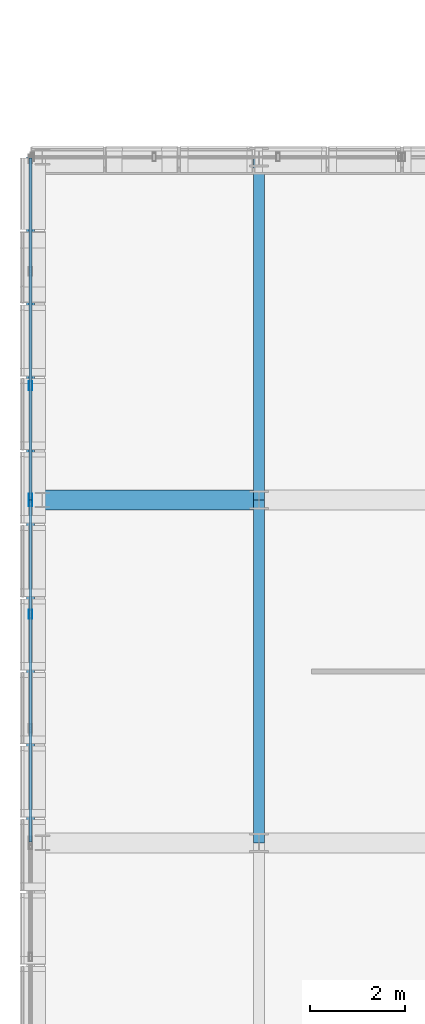
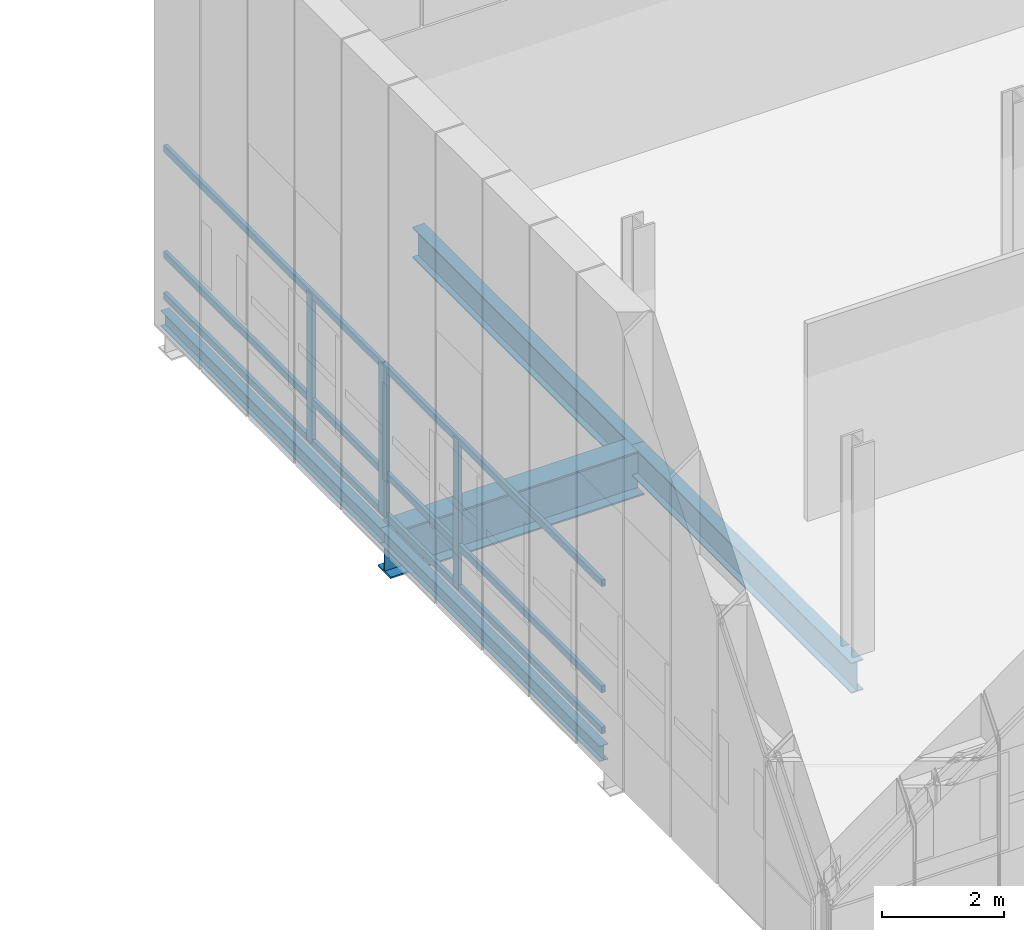
# One storey, part 15 of 144: 10 members, 5 beams, 2 elements without a shape of their own.
"""IFC4 building model written with IfcOpenShell, lengths in metres."""

from ifc_helpers import new_model, si_unit, direction, frame, origin, origin_2d, place, context, subcontext, project, spatial, hollow_rectangle, i_section, extrude, material, material_profile, profile_set, type_object, element, aggregate, save


model = new_model("IFC4")

# Units and contexts
model_context = context("Model", 3, precision=1e-05, world=origin(), true_north=direction((0.0, 1.0)))
body_context = subcontext(model_context, "Body", "Model", "MODEL_VIEW")
ifc_project = project(units=[si_unit("LENGTHUNIT", "METRE"), si_unit("AREAUNIT", "SQUARE_METRE"), si_unit("VOLUMEUNIT", "CUBIC_METRE"), si_unit("PLANEANGLEUNIT", "RADIAN"), si_unit("MASSUNIT", "GRAM", prefix="KILO")], contexts=[model_context])

# Site, building, storey
site_placement = place(None, origin())
site = spatial("IfcSite", under=ifc_project, at=site_placement, CompositionType="ELEMENT")
building_placement = place(site_placement, origin())
building = spatial("IfcBuilding", under=site, at=building_placement, Name="Yarey Park Central Fire Station", CompositionType="ELEMENT")
storey_placement = place(building_placement, frame((0.0, 0.0, 10.199951171875)))
storey = spatial("IfcBuildingStorey", under=building, at=storey_placement, Name="L03", CompositionType="ELEMENT", Elevation=10.199951171875)

# Curtain wall, members
ifc_material_1 = material(Name="Anodized Aluminium Frame", Category="aluminium")
curtain_wall_type = type_object("IfcCurtainWallType", Name="ENV_CW_V3_OVR1", PredefinedType="NOTDEFINED", material=ifc_material_1)
curtain_wall_1_placement = place(storey_placement, origin())
curtain_wall_1 = element("IfcCurtainWall", 1, at=curtain_wall_1_placement, inside=storey, type_object=curtain_wall_type, Name="CW_L03_DRUM_W_051", PredefinedType="NOTDEFINED")
ifc_material_profile_1 = material_profile(ifc_material_1, hollow_rectangle(XDim=0.070068359375, YDim=0.179931640625, WallThickness=0.00390625, at=origin_2d()), Name="ALU 180x70x4")
ifc_profile_set_1 = profile_set([ifc_material_profile_1], Name="Anodized Aluminium Frame")
member_type_1 = type_object("IfcMemberType", Name="ENV_CW_MULLION", PredefinedType="MULLION", material=ifc_profile_set_1)
member_1_placement = place(storey_placement, frame((9.60009765625, 35.9599609375, 0.0), z_axis=(0.0, 0.0, 1.0), x_axis=(1.0, 0.0, 0.0)))
member_1 = element("IfcMember", 2, at=member_1_placement, type_object=member_type_1, Name="CW_L03_DRUM_W_051_MUL1", PredefinedType="MULLION", context=body_context, shape_type="SweptSolid", body=[
    extrude(hollow_rectangle(XDim=0.070068359375, YDim=0.179931640625, WallThickness=0.00390625, at=origin_2d()), origin(), (0.0, 0.0, 1.0), 3.0),
])
member_2_placement = place(storey_placement, frame((9.60009765625, 33.60009765625, 0.0), z_axis=(0.0, 0.0, 1.0), x_axis=(1.0, 0.0, 0.0)))
member_2 = element("IfcMember", 3, at=member_2_placement, type_object=member_type_1, Name="CW_L03_DRUM_W_051_MUL2", PredefinedType="MULLION", context=body_context, shape_type="SweptSolid", body=[
    extrude(hollow_rectangle(XDim=0.070068359375, YDim=0.179931640625, WallThickness=0.00390625, at=origin_2d()), origin(), (0.0, 0.0, 1.0), 3.0),
])

curtain_wall_2_placement = place(storey_placement, origin())
curtain_wall_2 = element("IfcCurtainWall", 4, at=curtain_wall_2_placement, inside=storey, type_object=curtain_wall_type, Name="CW_L03_DRUM_W_052", PredefinedType="NOTDEFINED")
member_3_placement = place(storey_placement, frame((9.60009765625, 38.39990234375, 0.0), z_axis=(0.0, 0.0, 1.0), x_axis=(1.0, 0.0, 0.0)))
member_3 = element("IfcMember", 5, at=member_3_placement, type_object=member_type_1, Name="CW_L03_DRUM_W_052_MUL3", PredefinedType="MULLION", context=body_context, shape_type="SweptSolid", body=[
    extrude(hollow_rectangle(XDim=0.070068359375, YDim=0.179931640625, WallThickness=0.00390625, at=origin_2d()), origin(), (0.0, 0.0, 1.0), 3.0),
])
member_4_placement = place(storey_placement, frame((9.60009765625, 36.0400390625, 0.0), z_axis=(0.0, 0.0, 1.0), x_axis=(1.0, 0.0, 0.0)))
member_4 = element("IfcMember", 6, at=member_4_placement, type_object=member_type_1, Name="CW_L03_DRUM_W_052_MUL4", PredefinedType="MULLION", context=body_context, shape_type="SweptSolid", body=[
    extrude(hollow_rectangle(XDim=0.070068359375, YDim=0.179931640625, WallThickness=0.00390625, at=origin_2d()), origin(), (0.0, 0.0, 1.0), 3.0),
])

# Member
ifc_material_profile_2 = material_profile(ifc_material_1, hollow_rectangle(XDim=0.070068359375, YDim=0.139892578125, WallThickness=0.00390625, at=origin_2d()), Name="ALU 140x70x4")
ifc_profile_set_2 = profile_set([ifc_material_profile_2], Name="Anodized Aluminium Frame")
member_type_2 = type_object("IfcMemberType", Name="ENV_CW_TRANSOM", PredefinedType="USERDEFINED", material=ifc_profile_set_2)
member_5_placement = place(storey_placement, frame((9.60009765625, 35.985107421875, 0.025146484375), z_axis=(0.0, -1.0, 0.0), x_axis=(1.0, 0.0, 0.0)))
member_5 = element("IfcMember", 7, at=member_5_placement, type_object=member_type_2, Name="CW_L03_DRUM_W_051_TRN1", ObjectType="TRANSOM", PredefinedType="USERDEFINED", context=body_context, shape_type="SweptSolid", body=[
    extrude(hollow_rectangle(XDim=0.070068359375, YDim=0.139892578125, WallThickness=0.00390625, at=origin_2d()), origin(), (0.0, 0.0, 1.0), 7.170166015625),
])

member_6_placement = place(storey_placement, frame((9.60009765625, 35.985107421875, 0.85009765625), z_axis=(0.0, -1.0, 0.0), x_axis=(1.0, 0.0, 0.0)))
member_6 = element("IfcMember", 8, at=member_6_placement, type_object=member_type_2, Name="CW_L03_DRUM_W_051_TRN2", ObjectType="TRANSOM", PredefinedType="USERDEFINED", context=body_context, shape_type="SweptSolid", body=[
    extrude(hollow_rectangle(XDim=0.070068359375, YDim=0.139892578125, WallThickness=0.00390625, at=origin_2d()), origin(), (0.0, 0.0, 1.0), 7.170166015625),
])

member_7_placement = place(storey_placement, frame((9.60009765625, 35.985107421875, 2.97509765625), z_axis=(0.0, -1.0, 0.0), x_axis=(1.0, 0.0, 0.0)))
member_7 = element("IfcMember", 9, at=member_7_placement, type_object=member_type_2, Name="CW_L03_DRUM_W_051_TRN3", ObjectType="TRANSOM", PredefinedType="USERDEFINED", context=body_context, shape_type="SweptSolid", body=[
    extrude(hollow_rectangle(XDim=0.070068359375, YDim=0.139892578125, WallThickness=0.00390625, at=origin_2d()), origin(), (0.0, 0.0, 1.0), 7.170166015625),
])

aggregate(curtain_wall_1, [member_1, member_2, member_5, member_6, member_7])

member_8_placement = place(storey_placement, frame((9.60009765625, 43.18505859375, 0.025146484375), z_axis=(0.0, -1.0, 0.0), x_axis=(1.0, 0.0, 0.0)))
member_8 = element("IfcMember", 10, at=member_8_placement, type_object=member_type_2, Name="CW_L03_DRUM_W_052_TRN1", ObjectType="TRANSOM", PredefinedType="USERDEFINED", context=body_context, shape_type="SweptSolid", body=[
    extrude(hollow_rectangle(XDim=0.070068359375, YDim=0.139892578125, WallThickness=0.00390625, at=origin_2d()), origin(), (0.0, 0.0, 1.0), 7.170166015625),
])

member_9_placement = place(storey_placement, frame((9.60009765625, 43.18505859375, 0.85009765625), z_axis=(0.0, -1.0, 0.0), x_axis=(1.0, 0.0, 0.0)))
member_9 = element("IfcMember", 11, at=member_9_placement, type_object=member_type_2, Name="CW_L03_DRUM_W_052_TRN2", ObjectType="TRANSOM", PredefinedType="USERDEFINED", context=body_context, shape_type="SweptSolid", body=[
    extrude(hollow_rectangle(XDim=0.070068359375, YDim=0.139892578125, WallThickness=0.00390625, at=origin_2d()), origin(), (0.0, 0.0, 1.0), 7.170166015625),
])

member_10_placement = place(storey_placement, frame((9.60009765625, 43.18505859375, 2.97509765625), z_axis=(0.0, -1.0, 0.0), x_axis=(1.0, 0.0, 0.0)))
member_10 = element("IfcMember", 12, at=member_10_placement, type_object=member_type_2, Name="CW_L03_DRUM_W_052_TRN3", ObjectType="TRANSOM", PredefinedType="USERDEFINED", context=body_context, shape_type="SweptSolid", body=[
    extrude(hollow_rectangle(XDim=0.070068359375, YDim=0.139892578125, WallThickness=0.00390625, at=origin_2d()), origin(), (0.0, 0.0, 1.0), 7.170166015625),
])

aggregate(curtain_wall_2, [member_3, member_4, member_8, member_9, member_10])

# Beams
ifc_material_2 = material(Name="Steel ASTM A992 Gr. 50", Category="steel")
ifc_material_profile_3 = material_profile(ifc_material_2, i_section(OverallWidth=0.22900390625, OverallDepth=0.612060546875, WebThickness=0.011962890625, FlangeThickness=0.01953125, at=origin_2d()), Name="W610x125")
ifc_profile_set_3 = profile_set([ifc_material_profile_3], Name="Steel ASTM A992 Gr. 50")
beam_type_1 = type_object("IfcBeamType", Name="STR_BM_W610", PredefinedType="BEAM", material=ifc_profile_set_3)
for number, where, z_axis, x_axis, name in (
    (13, (14.39990234375, 28.800048828125, -0.56591796875), (0.0, 1.0, 0.0), (-1.0, 0.0, 0.0), "DRUM BMY14 L03 Y288"),
    (14, (14.39990234375, 36.0, -0.56591796875), (0.0, 1.0, 0.0), (-1.0, 0.0, 0.0), "DRUM BMY14 L03 Y360"),
):
    element("IfcBeam", number, at=place(storey_placement, frame(where, z_axis=z_axis, x_axis=x_axis)), inside=storey, type_object=beam_type_1, Name=name, PredefinedType="BEAM", context=body_context, shape_type="SweptSolid", body=[
        extrude(i_section(OverallWidth=0.22900390625, OverallDepth=0.612060546875, WebThickness=0.011962890625, FlangeThickness=0.01953125, at=origin_2d()), origin(), (0.0, 0.0, 1.0), 7.199951171875),
    ])
ifc_material_profile_4 = material_profile(ifc_material_2, i_section(OverallWidth=0.41796875, OverallDepth=0.912109375, WebThickness=0.019287109375, FlangeThickness=0.031982421875, at=origin_2d()), Name="W920x342")
ifc_profile_set_4 = profile_set([ifc_material_profile_4], Name="Steel ASTM A992 Gr. 50")
beam_type_2 = type_object("IfcBeamType", Name="STR_BM_W920E", PredefinedType="BEAM", material=ifc_profile_set_4)
beam_placement = place(storey_placement, frame((9.60009765625, 36.0, -0.716064453125), z_axis=(1.0, 0.0, 0.0), x_axis=(0.0, 1.0, 0.0)))
element("IfcBeam", 15, at=beam_placement, inside=storey, type_object=beam_type_2, Name="DRUM CANT L03 Y360", PredefinedType="BEAM", context=body_context, shape_type="SweptSolid", body=[
    extrude(i_section(OverallWidth=0.41796875, OverallDepth=0.912109375, WebThickness=0.019287109375, FlangeThickness=0.031982421875, at=origin_2d()), origin(), (0.0, 0.0, 1.0), 4.7998046875),
])
ifc_material_profile_5 = material_profile(ifc_material_2, i_section(OverallWidth=0.1650390625, OverallDepth=0.31005859375, WebThickness=0.005859375, FlangeThickness=0.009765625, at=origin_2d()), Name="W310x39")
ifc_profile_set_5 = profile_set([ifc_material_profile_5], Name="Steel ASTM A992 Gr. 50")
beam_type_3 = type_object("IfcBeamType", Name="STR_SPN_W310", PredefinedType="SPANDREL", material=ifc_profile_set_5)
for number, where, z_axis, x_axis, name in (
    (16, (9.60009765625, 28.800048828125, -0.4150390625), (0.0, 1.0, 0.0), (-1.0, 0.0, 0.0), "DRUM EDG L03 Y288"),
    (17, (9.60009765625, 36.0, -0.4150390625), (0.0, 1.0, 0.0), (-1.0, 0.0, 0.0), "DRUM EDG L03 Y360"),
):
    element("IfcBeam", number, at=place(storey_placement, frame(where, z_axis=z_axis, x_axis=x_axis)), inside=storey, type_object=beam_type_3, Name=name, PredefinedType="SPANDREL", context=body_context, shape_type="SweptSolid", body=[
        extrude(i_section(OverallWidth=0.1650390625, OverallDepth=0.31005859375, WebThickness=0.005859375, FlangeThickness=0.009765625, at=origin_2d()), origin(), (0.0, 0.0, 1.0), 7.199951171875),
    ])

save(model, "model.ifc")
